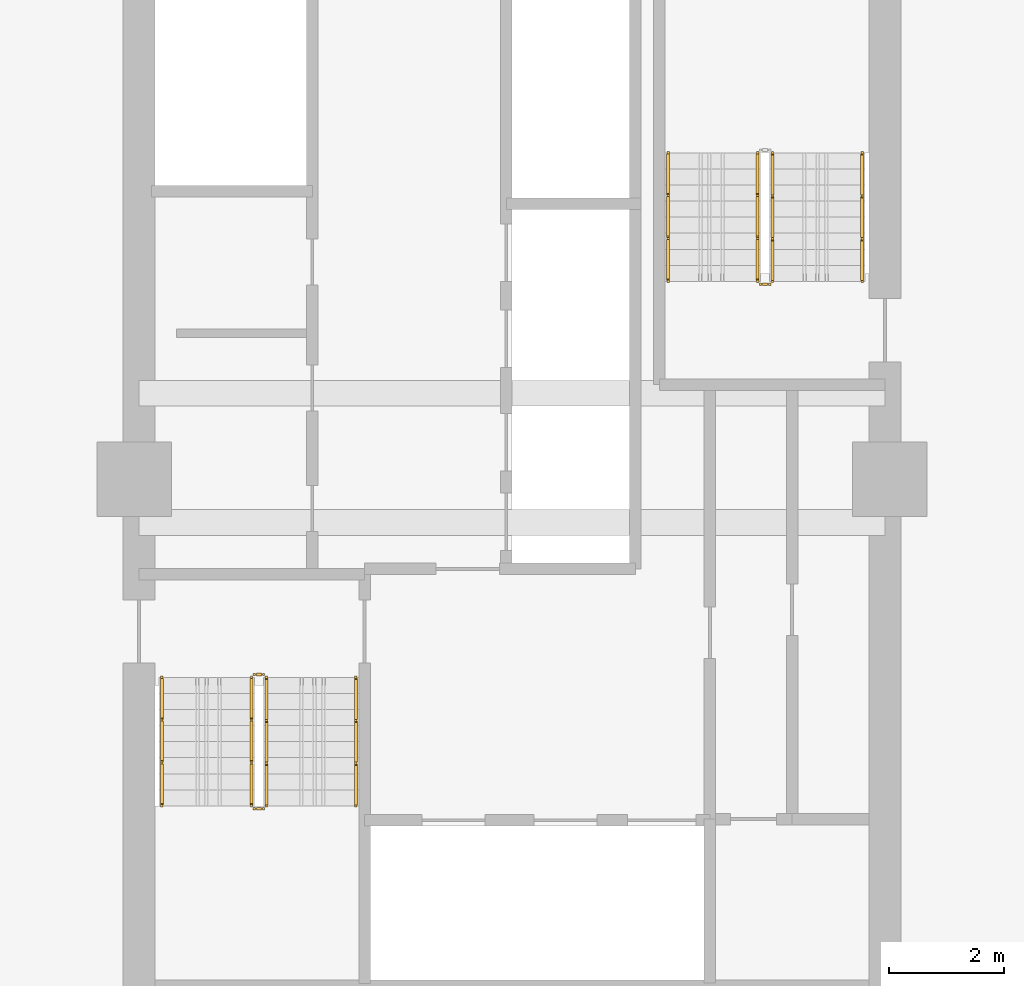
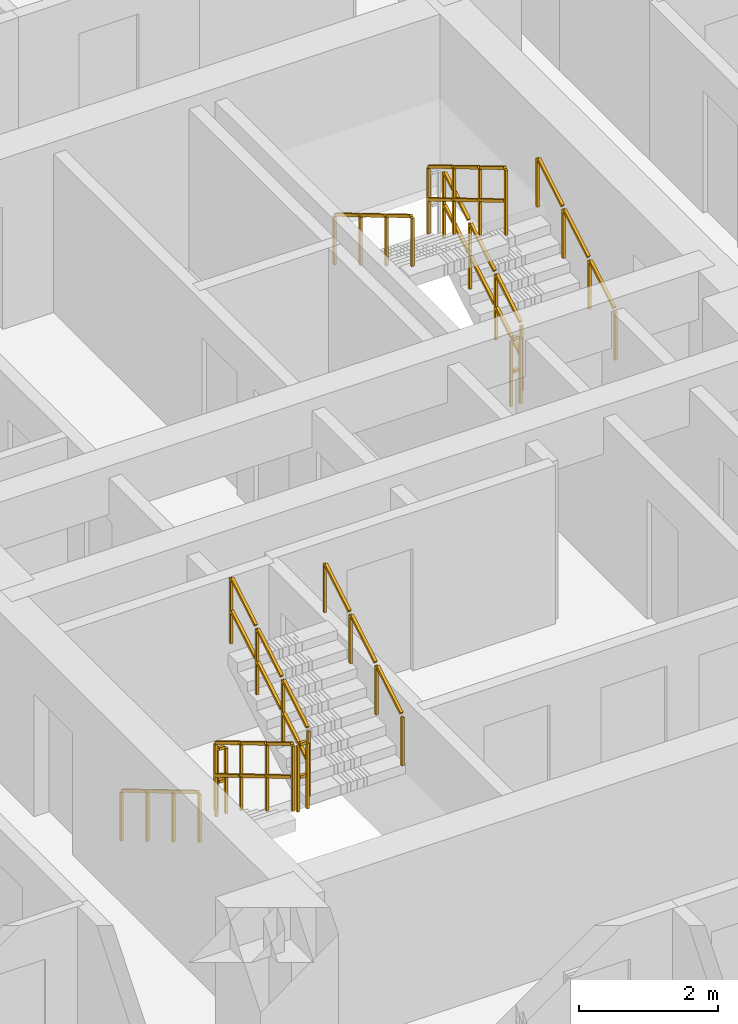
# One storey, part 11 of 13: 11 railings.
"""IFC4 building model written with IfcOpenShell, lengths in metres."""

from ifc_helpers import new_model, si_unit, direction, frame, origin, origin_2d, place, context, subcontext, project, spatial, rectangle, extrude, material, type_object, element, save


model = new_model("IFC4")

# Units and contexts
model_context = context("Model", 3, precision=1e-05, world=origin(), true_north=direction((0.0, 1.0)))
body_context = subcontext(model_context, "Body", "Model", "MODEL_VIEW")
ifc_project = project(units=[si_unit("LENGTHUNIT", "METRE"), si_unit("AREAUNIT", "SQUARE_METRE"), si_unit("VOLUMEUNIT", "CUBIC_METRE"), si_unit("PLANEANGLEUNIT", "RADIAN"), si_unit("MASSUNIT", "GRAM", prefix="KILO")], contexts=[model_context])

# Site, building, storey
site_placement = place(None, origin())
site = spatial("IfcSite", under=ifc_project, at=site_placement, CompositionType="ELEMENT")
building_placement = place(site_placement, origin())
building = spatial("IfcBuilding", under=site, at=building_placement, Name="Saelheon Loggia Tower", CompositionType="ELEMENT")
storey_placement = place(building_placement, frame((0.0, 0.0, 104.85009765625)))
storey = spatial("IfcBuildingStorey", under=building, at=storey_placement, Name="L33", CompositionType="ELEMENT", Elevation=104.85009765625)

# Railings
ifc_material_1 = material(Name="Galvanised Steel S275 Stairwell Guardrail", Category="steel")
railing_type_1 = type_object("IfcRailingType", Name="Guard_StairWell_RL_STG", PredefinedType="GUARDRAIL", material=ifc_material_1)
railing_1_placement = place(storey_placement, frame((33.4599609375, 23.550048828125, 0.16650390625)))
element("IfcRailing", 1, at=railing_1_placement, inside=storey, type_object=railing_type_1, Name="L33 ST1 stair guard 1", PredefinedType="GUARDRAIL", context=body_context, shape_type="SweptSolid", body=[
    extrude(rectangle(XDim=0.048095703125, YDim=0.048095703125, at=origin_2d()), frame((0.0, -0.028564453125, 1.19287109375), z_axis=(0.0, -0.859264461869, 0.511531606619), x_axis=(1.0, 0.0, 0.0)), (0.0, 0.0, 1.0), 0.802490234375),
    extrude(rectangle(XDim=0.048095703125, YDim=0.048095703125, at=origin_2d()), frame((0.0, -0.028564453125, 0.616943359375), z_axis=(0.0, -0.859264461869, 0.511531606619), x_axis=(1.0, 0.0, 0.0)), (0.0, 0.0, 1.0), 0.802490234375),
    extrude(rectangle(XDim=0.048095703125, YDim=0.048095703125, at=origin_2d()), frame((0.0, -0.775146484375, 1.637451171875), z_axis=(0.0, -0.859264461869, 0.511531606619), x_axis=(1.0, 0.0, 0.0)), (0.0, 0.0, 1.0), 0.802490234375),
    extrude(rectangle(XDim=0.048095703125, YDim=0.048095703125, at=origin_2d()), frame((0.0, -0.775146484375, 1.0615234375), z_axis=(0.0, -0.859264461869, 0.511531606619), x_axis=(1.0, 0.0, 0.0)), (0.0, 0.0, 1.0), 0.802490234375),
    extrude(rectangle(XDim=0.048095703125, YDim=0.048095703125, at=origin_2d()), frame((0.0, -1.52197265625, 2.081787109375), z_axis=(0.0, -0.859264461869, 0.511531606619), x_axis=(1.0, 0.0, 0.0)), (0.0, 0.0, 1.0), 0.802490234375),
    extrude(rectangle(XDim=0.048095703125, YDim=0.048095703125, at=origin_2d()), frame((0.0, -1.52197265625, 1.505859375), z_axis=(0.0, -0.859264461869, 0.511531606619), x_axis=(1.0, 0.0, 0.0)), (0.0, 0.0, 1.0), 0.802490234375),
    extrude(rectangle(XDim=0.0419921875, YDim=0.0419921875, at=origin_2d()), origin(), (0.0, 0.0, 1.0), 1.14794921875),
    extrude(rectangle(XDim=0.0419921875, YDim=0.0419921875, at=origin_2d()), frame((0.0, -0.74658203125, 0.444580078125)), (0.0, 0.0, 1.0), 1.14794921875),
    extrude(rectangle(XDim=0.0419921875, YDim=0.0419921875, at=origin_2d()), frame((0.0, -1.493408203125, 0.888916015625)), (0.0, 0.0, 1.0), 1.14794921875),
    extrude(rectangle(XDim=0.0419921875, YDim=0.0419921875, at=origin_2d()), frame((0.0, -2.239990234375, 1.33349609375)), (0.0, 0.0, 1.0), 1.14794921875),
])
railing_2_placement = place(storey_placement, frame((33.510009765625, 21.260009765625, 1.5)))
element("IfcRailing", 2, at=railing_2_placement, inside=storey, type_object=railing_type_1, Name="L33 ST1 stair guard 2", PredefinedType="GUARDRAIL", context=body_context, shape_type="SweptSolid", body=[
    extrude(rectangle(XDim=0.048095703125, YDim=0.048095703125, at=origin_2d()), frame((0.033203125, 0.0, 1.17578125), z_axis=(1.0, 0.0, 0.0), x_axis=(0.0, 1.0, 0.0)), (0.0, 0.0, 1.0), 0.093505859375),
    extrude(rectangle(XDim=0.048095703125, YDim=0.048095703125, at=origin_2d()), frame((0.033203125, 0.0, 0.60009765625), z_axis=(1.0, 0.0, 0.0), x_axis=(0.0, 1.0, 0.0)), (0.0, 0.0, 1.0), 0.093505859375),
    extrude(rectangle(XDim=0.0419921875, YDim=0.0419921875, at=origin_2d()), origin(), (0.0, 0.0, 1.0), 1.14794921875),
    extrude(rectangle(XDim=0.0419921875, YDim=0.0419921875, at=origin_2d()), frame((0.159912109375, 0.0, 0.0)), (0.0, 0.0, 1.0), 1.14794921875),
])
railing_3_placement = place(storey_placement, frame((33.719970703125, 21.31005859375, 1.66650390625)))
element("IfcRailing", 3, at=railing_3_placement, inside=storey, type_object=railing_type_1, Name="L33 ST1 stair guard 3", PredefinedType="GUARDRAIL", context=body_context, shape_type="SweptSolid", body=[
    extrude(rectangle(XDim=0.048095703125, YDim=0.048095703125, at=origin_2d()), frame((0.0, 0.028564453125, 1.19287109375), z_axis=(0.0, 0.859264461869, 0.511531606619), x_axis=(-1.0, 0.0, 0.0)), (0.0, 0.0, 1.0), 0.802490234375),
    extrude(rectangle(XDim=0.048095703125, YDim=0.048095703125, at=origin_2d()), frame((0.0, 0.028564453125, 0.616943359375), z_axis=(0.0, 0.859264461869, 0.511531606619), x_axis=(-1.0, 0.0, 0.0)), (0.0, 0.0, 1.0), 0.802490234375),
    extrude(rectangle(XDim=0.048095703125, YDim=0.048095703125, at=origin_2d()), frame((0.0, 0.775146484375, 1.637451171875), z_axis=(0.0, 0.859264461869, 0.511531606619), x_axis=(-1.0, 0.0, 0.0)), (0.0, 0.0, 1.0), 0.802490234375),
    extrude(rectangle(XDim=0.048095703125, YDim=0.048095703125, at=origin_2d()), frame((0.0, 0.775146484375, 1.0615234375), z_axis=(0.0, 0.859264461869, 0.511531606619), x_axis=(-1.0, 0.0, 0.0)), (0.0, 0.0, 1.0), 0.802490234375),
    extrude(rectangle(XDim=0.048095703125, YDim=0.048095703125, at=origin_2d()), frame((0.0, 1.52197265625, 2.081787109375), z_axis=(0.0, 0.859264461869, 0.511531606619), x_axis=(-1.0, 0.0, 0.0)), (0.0, 0.0, 1.0), 0.802490234375),
    extrude(rectangle(XDim=0.048095703125, YDim=0.048095703125, at=origin_2d()), frame((0.0, 1.52197265625, 1.505859375), z_axis=(0.0, 0.859264461869, 0.511531606619), x_axis=(-1.0, 0.0, 0.0)), (0.0, 0.0, 1.0), 0.802490234375),
    extrude(rectangle(XDim=0.0419921875, YDim=0.0419921875, at=origin_2d()), origin(), (0.0, 0.0, 1.0), 1.14794921875),
    extrude(rectangle(XDim=0.0419921875, YDim=0.0419921875, at=origin_2d()), frame((0.0, 0.74658203125, 0.444580078125)), (0.0, 0.0, 1.0), 1.14794921875),
    extrude(rectangle(XDim=0.0419921875, YDim=0.0419921875, at=origin_2d()), frame((0.0, 1.493408203125, 0.888916015625)), (0.0, 0.0, 1.0), 1.14794921875),
    extrude(rectangle(XDim=0.0419921875, YDim=0.0419921875, at=origin_2d()), frame((0.0, 2.239990234375, 1.33349609375)), (0.0, 0.0, 1.0), 1.14794921875),
])
railing_4_placement = place(storey_placement, frame((33.510009765625, 23.60009765625, 0.0)))
element("IfcRailing", 4, at=railing_4_placement, inside=storey, type_object=railing_type_1, Name="L33 ST1 stair guard 4", PredefinedType="GUARDRAIL", context=body_context, shape_type="SweptSolid", body=[
    extrude(rectangle(XDim=0.048095703125, YDim=0.048095703125, at=origin_2d()), frame((0.033203125, 0.0, 1.17578125), z_axis=(1.0, 0.0, 0.0), x_axis=(0.0, 1.0, 0.0)), (0.0, 0.0, 1.0), 0.093505859375),
    extrude(rectangle(XDim=0.048095703125, YDim=0.048095703125, at=origin_2d()), frame((0.033203125, 0.0, 0.60009765625), z_axis=(1.0, 0.0, 0.0), x_axis=(0.0, 1.0, 0.0)), (0.0, 0.0, 1.0), 0.093505859375),
    extrude(rectangle(XDim=0.0419921875, YDim=0.0419921875, at=origin_2d()), origin(), (0.0, 0.0, 1.0), 1.14794921875),
    extrude(rectangle(XDim=0.0419921875, YDim=0.0419921875, at=origin_2d()), frame((0.159912109375, 0.0, 0.0)), (0.0, 0.0, 1.0), 1.14794921875),
])
railing_5_placement = place(storey_placement, frame((42.5400390625, 30.449951171875, 0.16650390625)))
element("IfcRailing", 5, at=railing_5_placement, inside=storey, type_object=railing_type_1, Name="L33 ST2 stair guard 1", PredefinedType="GUARDRAIL", context=body_context, shape_type="SweptSolid", body=[
    extrude(rectangle(XDim=0.048095703125, YDim=0.048095703125, at=origin_2d()), frame((0.0, 0.028564453125, 1.19287109375), z_axis=(0.0, 0.859264461869, 0.511531606619), x_axis=(-1.0, 0.0, 0.0)), (0.0, 0.0, 1.0), 0.802490234375),
    extrude(rectangle(XDim=0.048095703125, YDim=0.048095703125, at=origin_2d()), frame((0.0, 0.028564453125, 0.616943359375), z_axis=(0.0, 0.859264461869, 0.511531606619), x_axis=(-1.0, 0.0, 0.0)), (0.0, 0.0, 1.0), 0.802490234375),
    extrude(rectangle(XDim=0.048095703125, YDim=0.048095703125, at=origin_2d()), frame((0.0, 0.775146484375, 1.637451171875), z_axis=(0.0, 0.859264461869, 0.511531606619), x_axis=(-1.0, 0.0, 0.0)), (0.0, 0.0, 1.0), 0.802490234375),
    extrude(rectangle(XDim=0.048095703125, YDim=0.048095703125, at=origin_2d()), frame((0.0, 0.775146484375, 1.0615234375), z_axis=(0.0, 0.859264461869, 0.511531606619), x_axis=(-1.0, 0.0, 0.0)), (0.0, 0.0, 1.0), 0.802490234375),
    extrude(rectangle(XDim=0.048095703125, YDim=0.048095703125, at=origin_2d()), frame((0.0, 1.52197265625, 2.081787109375), z_axis=(0.0, 0.859264461869, 0.511531606619), x_axis=(-1.0, 0.0, 0.0)), (0.0, 0.0, 1.0), 0.802490234375),
    extrude(rectangle(XDim=0.048095703125, YDim=0.048095703125, at=origin_2d()), frame((0.0, 1.52197265625, 1.505859375), z_axis=(0.0, 0.859264461869, 0.511531606619), x_axis=(-1.0, 0.0, 0.0)), (0.0, 0.0, 1.0), 0.802490234375),
    extrude(rectangle(XDim=0.0419921875, YDim=0.0419921875, at=origin_2d()), origin(), (0.0, 0.0, 1.0), 1.14794921875),
    extrude(rectangle(XDim=0.0419921875, YDim=0.0419921875, at=origin_2d()), frame((0.0, 0.74658203125, 0.444580078125)), (0.0, 0.0, 1.0), 1.14794921875),
    extrude(rectangle(XDim=0.0419921875, YDim=0.0419921875, at=origin_2d()), frame((0.0, 1.493408203125, 0.888916015625)), (0.0, 0.0, 1.0), 1.14794921875),
    extrude(rectangle(XDim=0.0419921875, YDim=0.0419921875, at=origin_2d()), frame((0.0, 2.239990234375, 1.33349609375)), (0.0, 0.0, 1.0), 1.14794921875),
])
railing_6_placement = place(storey_placement, frame((42.280029296875, 32.68994140625, 1.66650390625)))
element("IfcRailing", 6, at=railing_6_placement, inside=storey, type_object=railing_type_1, Name="L33 ST2 stair guard 3", PredefinedType="GUARDRAIL", context=body_context, shape_type="SweptSolid", body=[
    extrude(rectangle(XDim=0.048095703125, YDim=0.048095703125, at=origin_2d()), frame((0.0, -0.028564453125, 1.19287109375), z_axis=(0.0, -0.859264461869, 0.511531606619), x_axis=(1.0, 0.0, 0.0)), (0.0, 0.0, 1.0), 0.802490234375),
    extrude(rectangle(XDim=0.048095703125, YDim=0.048095703125, at=origin_2d()), frame((0.0, -0.028564453125, 0.616943359375), z_axis=(0.0, -0.859264461869, 0.511531606619), x_axis=(1.0, 0.0, 0.0)), (0.0, 0.0, 1.0), 0.802490234375),
    extrude(rectangle(XDim=0.048095703125, YDim=0.048095703125, at=origin_2d()), frame((0.0, -0.775146484375, 1.637451171875), z_axis=(0.0, -0.859264461869, 0.511531606619), x_axis=(1.0, 0.0, 0.0)), (0.0, 0.0, 1.0), 0.802490234375),
    extrude(rectangle(XDim=0.048095703125, YDim=0.048095703125, at=origin_2d()), frame((0.0, -0.775146484375, 1.0615234375), z_axis=(0.0, -0.859264461869, 0.511531606619), x_axis=(1.0, 0.0, 0.0)), (0.0, 0.0, 1.0), 0.802490234375),
    extrude(rectangle(XDim=0.048095703125, YDim=0.048095703125, at=origin_2d()), frame((0.0, -1.52197265625, 2.081787109375), z_axis=(0.0, -0.859264461869, 0.511531606619), x_axis=(1.0, 0.0, 0.0)), (0.0, 0.0, 1.0), 0.802490234375),
    extrude(rectangle(XDim=0.048095703125, YDim=0.048095703125, at=origin_2d()), frame((0.0, -1.52197265625, 1.505859375), z_axis=(0.0, -0.859264461869, 0.511531606619), x_axis=(1.0, 0.0, 0.0)), (0.0, 0.0, 1.0), 0.802490234375),
    extrude(rectangle(XDim=0.0419921875, YDim=0.0419921875, at=origin_2d()), origin(), (0.0, 0.0, 1.0), 1.14794921875),
    extrude(rectangle(XDim=0.0419921875, YDim=0.0419921875, at=origin_2d()), frame((0.0, -0.74658203125, 0.444580078125)), (0.0, 0.0, 1.0), 1.14794921875),
    extrude(rectangle(XDim=0.0419921875, YDim=0.0419921875, at=origin_2d()), frame((0.0, -1.493408203125, 0.888916015625)), (0.0, 0.0, 1.0), 1.14794921875),
    extrude(rectangle(XDim=0.0419921875, YDim=0.0419921875, at=origin_2d()), frame((0.0, -2.239990234375, 1.33349609375)), (0.0, 0.0, 1.0), 1.14794921875),
])
railing_7_placement = place(storey_placement, frame((42.489990234375, 30.39990234375, 0.0)))
element("IfcRailing", 7, at=railing_7_placement, inside=storey, type_object=railing_type_1, Name="L33 ST2 stair guard 4", PredefinedType="GUARDRAIL", context=body_context, shape_type="SweptSolid", body=[
    extrude(rectangle(XDim=0.048095703125, YDim=0.048095703125, at=origin_2d()), frame((-0.033203125, 0.0, 1.17578125), z_axis=(-1.0, 0.0, 0.0), x_axis=(0.0, -1.0, 0.0)), (0.0, 0.0, 1.0), 0.093505859375),
    extrude(rectangle(XDim=0.048095703125, YDim=0.048095703125, at=origin_2d()), frame((-0.033203125, 0.0, 0.60009765625), z_axis=(-1.0, 0.0, 0.0), x_axis=(0.0, -1.0, 0.0)), (0.0, 0.0, 1.0), 0.093505859375),
    extrude(rectangle(XDim=0.0419921875, YDim=0.0419921875, at=origin_2d()), origin(), (0.0, 0.0, 1.0), 1.14794921875),
    extrude(rectangle(XDim=0.0419921875, YDim=0.0419921875, at=origin_2d()), frame((-0.159912109375, 0.0, 0.0)), (0.0, 0.0, 1.0), 1.14794921875),
])
ifc_material_2 = material(Name="Stainless Steel 304 Tubular Handrail", Category="steel")
railing_type_2 = type_object("IfcRailingType", Name="Handrail_Stair_RL_HR1", PredefinedType="HANDRAIL", material=ifc_material_2)
railing_8_placement = place(storey_placement, frame((31.89990234375, 23.550048828125, 0.16650390625)))
element("IfcRailing", 8, at=railing_8_placement, inside=storey, type_object=railing_type_2, Name="L33 ST1 stair handrail 1", PredefinedType="HANDRAIL", context=body_context, shape_type="SweptSolid", body=[
    extrude(rectangle(XDim=0.048095703125, YDim=0.048095703125, at=origin_2d()), frame((0.0, -0.028564453125, 0.892822265625), z_axis=(0.0, -0.859264461869, 0.511531606619), x_axis=(1.0, 0.0, 0.0)), (0.0, 0.0, 1.0), 0.802490234375),
    extrude(rectangle(XDim=0.048095703125, YDim=0.048095703125, at=origin_2d()), frame((0.0, -0.775146484375, 1.33740234375), z_axis=(0.0, -0.859264461869, 0.511531606619), x_axis=(1.0, 0.0, 0.0)), (0.0, 0.0, 1.0), 0.802490234375),
    extrude(rectangle(XDim=0.048095703125, YDim=0.048095703125, at=origin_2d()), frame((0.0, -1.52197265625, 1.78173828125), z_axis=(0.0, -0.859264461869, 0.511531606619), x_axis=(1.0, 0.0, 0.0)), (0.0, 0.0, 1.0), 0.802490234375),
    extrude(rectangle(XDim=0.0419921875, YDim=0.0419921875, at=origin_2d()), origin(), (0.0, 0.0, 1.0), 0.847900390625),
    extrude(rectangle(XDim=0.0419921875, YDim=0.0419921875, at=origin_2d()), frame((0.0, -0.74658203125, 0.444580078125)), (0.0, 0.0, 1.0), 0.847900390625),
    extrude(rectangle(XDim=0.0419921875, YDim=0.0419921875, at=origin_2d()), frame((0.0, -1.493408203125, 0.888916015625)), (0.0, 0.0, 1.0), 0.847900390625),
    extrude(rectangle(XDim=0.0419921875, YDim=0.0419921875, at=origin_2d()), frame((0.0, -2.239990234375, 1.33349609375)), (0.0, 0.0, 1.0), 0.847900390625),
])
for number, where, name in (
    (9, (35.280029296875, 21.31005859375, 1.66650390625), "L33 ST1 stair handrail 2"),
    (10, (44.10009765625, 30.449951171875, 0.16650390625), "L33 ST2 stair handrail 1"),
):
    element("IfcRailing", number, at=place(storey_placement, frame(where)), inside=storey, type_object=railing_type_2, Name=name, PredefinedType="HANDRAIL", context=body_context, shape_type="SweptSolid", body=[
        extrude(rectangle(XDim=0.048095703125, YDim=0.048095703125, at=origin_2d()), frame((0.0, 0.028564453125, 0.892822265625), z_axis=(0.0, 0.859264461869, 0.511531606619), x_axis=(-1.0, 0.0, 0.0)), (0.0, 0.0, 1.0), 0.802490234375),
        extrude(rectangle(XDim=0.048095703125, YDim=0.048095703125, at=origin_2d()), frame((0.0, 0.775146484375, 1.33740234375), z_axis=(0.0, 0.859264461869, 0.511531606619), x_axis=(-1.0, 0.0, 0.0)), (0.0, 0.0, 1.0), 0.802490234375),
        extrude(rectangle(XDim=0.048095703125, YDim=0.048095703125, at=origin_2d()), frame((0.0, 1.52197265625, 1.78173828125), z_axis=(0.0, 0.859264461869, 0.511531606619), x_axis=(-1.0, 0.0, 0.0)), (0.0, 0.0, 1.0), 0.802490234375),
        extrude(rectangle(XDim=0.0419921875, YDim=0.0419921875, at=origin_2d()), origin(), (0.0, 0.0, 1.0), 0.847900390625),
        extrude(rectangle(XDim=0.0419921875, YDim=0.0419921875, at=origin_2d()), frame((0.0, 0.74658203125, 0.444580078125)), (0.0, 0.0, 1.0), 0.847900390625),
        extrude(rectangle(XDim=0.0419921875, YDim=0.0419921875, at=origin_2d()), frame((0.0, 1.493408203125, 0.888916015625)), (0.0, 0.0, 1.0), 0.847900390625),
        extrude(rectangle(XDim=0.0419921875, YDim=0.0419921875, at=origin_2d()), frame((0.0, 2.239990234375, 1.33349609375)), (0.0, 0.0, 1.0), 0.847900390625),
    ])
railing_9_placement = place(storey_placement, frame((40.719970703125, 32.68994140625, 1.66650390625)))
element("IfcRailing", 11, at=railing_9_placement, inside=storey, type_object=railing_type_2, Name="L33 ST2 stair handrail 2", PredefinedType="HANDRAIL", context=body_context, shape_type="SweptSolid", body=[
    extrude(rectangle(XDim=0.048095703125, YDim=0.048095703125, at=origin_2d()), frame((0.0, -0.028564453125, 0.892822265625), z_axis=(0.0, -0.859264461869, 0.511531606619), x_axis=(1.0, 0.0, 0.0)), (0.0, 0.0, 1.0), 0.802490234375),
    extrude(rectangle(XDim=0.048095703125, YDim=0.048095703125, at=origin_2d()), frame((0.0, -0.775146484375, 1.33740234375), z_axis=(0.0, -0.859264461869, 0.511531606619), x_axis=(1.0, 0.0, 0.0)), (0.0, 0.0, 1.0), 0.802490234375),
    extrude(rectangle(XDim=0.048095703125, YDim=0.048095703125, at=origin_2d()), frame((0.0, -1.52197265625, 1.78173828125), z_axis=(0.0, -0.859264461869, 0.511531606619), x_axis=(1.0, 0.0, 0.0)), (0.0, 0.0, 1.0), 0.802490234375),
    extrude(rectangle(XDim=0.0419921875, YDim=0.0419921875, at=origin_2d()), origin(), (0.0, 0.0, 1.0), 0.847900390625),
    extrude(rectangle(XDim=0.0419921875, YDim=0.0419921875, at=origin_2d()), frame((0.0, -0.74658203125, 0.444580078125)), (0.0, 0.0, 1.0), 0.847900390625),
    extrude(rectangle(XDim=0.0419921875, YDim=0.0419921875, at=origin_2d()), frame((0.0, -1.493408203125, 0.888916015625)), (0.0, 0.0, 1.0), 0.847900390625),
    extrude(rectangle(XDim=0.0419921875, YDim=0.0419921875, at=origin_2d()), frame((0.0, -2.239990234375, 1.33349609375)), (0.0, 0.0, 1.0), 0.847900390625),
])

save(model, "model.ifc")
